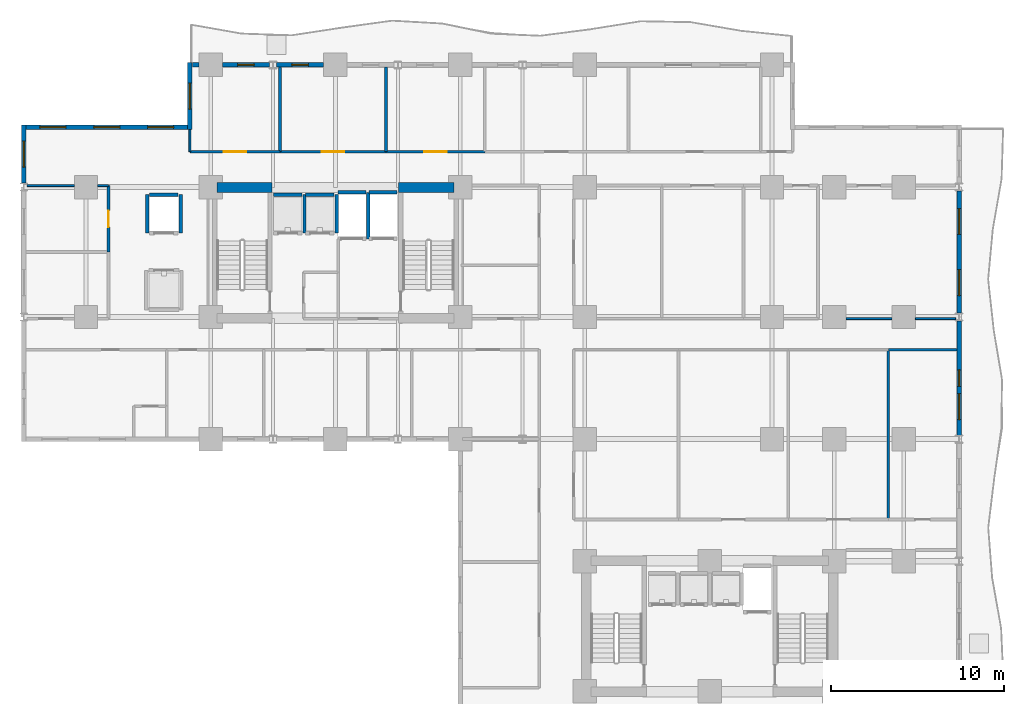
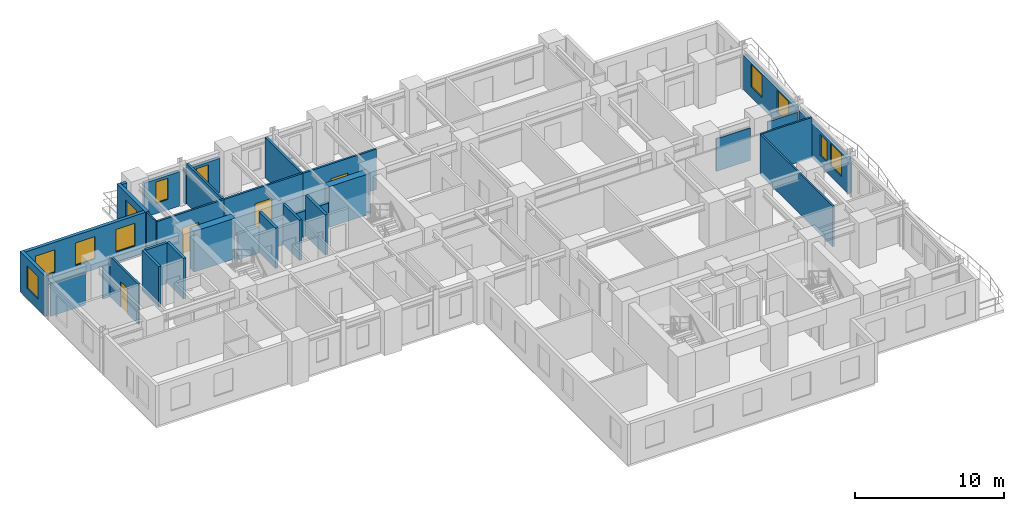
# One storey, part 6 of 12: 33 walls, 11 windows, 4 doors, 15 openings.
"""IFC4 building model written with IfcOpenShell, lengths in metres."""

from ifc_helpers import new_model, si_unit, direction, frame, frame_2d, origin, place, context, subcontext, project, spatial, rectangle, extrude, material, layer, layer_set, type_object, element, fill, save


model = new_model("IFC4")

# Units and contexts
model_context = context("Model", 3, precision=1e-05, world=origin(), true_north=direction((0.0, 1.0)))
body_context = subcontext(model_context, "Body", "Model", "MODEL_VIEW")
ifc_project = project(units=[si_unit("LENGTHUNIT", "METRE"), si_unit("AREAUNIT", "SQUARE_METRE"), si_unit("VOLUMEUNIT", "CUBIC_METRE"), si_unit("PLANEANGLEUNIT", "RADIAN"), si_unit("MASSUNIT", "GRAM", prefix="KILO")], contexts=[model_context])

# Site, building, storey
site_placement = place(None, origin())
site = spatial("IfcSite", under=ifc_project, at=site_placement, CompositionType="ELEMENT")
building_placement = place(site_placement, origin())
building = spatial("IfcBuilding", under=site, at=building_placement, Name="Kaliganga Portal Commons", CompositionType="ELEMENT")
storey_placement = place(building_placement, frame((0.0, 0.0, 69.699951171875)))
storey = spatial("IfcBuildingStorey", under=building, at=storey_placement, Name="L17", CompositionType="ELEMENT", Elevation=69.699951171875)

# Walls
ifc_material_1 = material(Name="Concrete C60/75", Category="concrete")
ifc_layer_1 = layer(ifc_material_1, 0.550048828125)
ifc_layer_set_1 = layer_set([ifc_layer_1], Name="Concrete C60/75")
wall_type_1 = type_object("IfcWallType", Name="WL-CORE-550", PredefinedType="SHEAR", material=ifc_layer_set_1)
for number, where, z_axis, x_axis, name in (
    (1, (14.75, 36.125, 0.0), (0.0, 0.0, 1.0), (1.0, 0.0, 0.0), "Core A N-West Shear Wall L17"),
    (2, (25.25, 36.125, 0.0), (0.0, 0.0, 1.0), (1.0, 0.0, 0.0), "Core A N-East Shear Wall L17"),
):
    element("IfcWall", number, at=place(storey_placement, frame(where, z_axis=z_axis, x_axis=x_axis)), inside=storey, type_object=wall_type_1, Name=name, PredefinedType="SHEAR", context=body_context, shape_type="SweptSolid", body=[
        extrude(rectangle(XDim=3.199951171875, YDim=0.550048828125, at=frame_2d((1.60009765625, 0.0))), origin(), (0.0, 0.0, 1.0), 3.340087890625),
    ])

# Wall, openings, windows
ifc_material_2 = material(Name="Insulated Aluminium-Clad Spandrel Assembly", Category="aluminium")
ifc_layer_2 = layer(ifc_material_2, 0.260009765625)
ifc_layer_set_2 = layer_set([ifc_layer_2], Name="Insulated Aluminium-Clad Spandrel Assembly")
wall_type_2 = type_object("IfcWallType", Name="WL-EXT-SPAND-260", PredefinedType="STANDARD", material=ifc_layer_set_2)
wall_1_placement = place(storey_placement, frame((57.60009765625, 28.426025390625, 0.0), z_axis=(0.0, 0.0, 1.0), x_axis=(0.0, -1.0, 0.0)))
wall_1 = element("IfcWall", 3, at=wall_1_placement, inside=storey, type_object=wall_type_2, Name="Exterior Envelope Wall L17 P1-E03-S4", PredefinedType="STANDARD", context=body_context, shape_type="SweptSolid", body=[
    extrude(rectangle(XDim=6.60205078125, YDim=0.260009765625, at=frame_2d((3.301025390625, 0.0))), origin(), (0.0, 0.0, 1.0), 2.820068359375),
])
opening_1_placement = place(wall_1_placement, frame((4.201416015625, 0.0, 0.85009765625)))
opening_1 = element("IfcOpeningElement", 4, at=opening_1_placement, cuts=wall_1, Name="Opening W-02", PredefinedType="OPENING", context=body_context, shape_type="SweptSolid", body=[
    extrude(rectangle(XDim=1.5, YDim=1.85009765625, at=frame_2d((0.75, 0.925048828125))), frame((0.0, 0.14013671875, 0.0), z_axis=(0.0, -1.0, 0.0), x_axis=(1.0, 0.0, 0.0)), (0.0, 0.0, 1.0), 0.280029296875),
])
opening_2_placement = place(wall_1_placement, frame((2.825927734375, 0.0, 0.85009765625)))
opening_2 = element("IfcOpeningElement", 5, at=opening_2_placement, cuts=wall_1, Name="Opening W-04", PredefinedType="OPENING", context=body_context, shape_type="SweptSolid", body=[
    extrude(rectangle(XDim=0.949951171875, YDim=1.75, at=frame_2d((0.47509765625, 0.875))), frame((0.0, 0.14013671875, 0.0), z_axis=(0.0, -1.0, 0.0), x_axis=(1.0, 0.0, 0.0)), (0.0, 0.0, 1.0), 0.280029296875),
])
ifc_material_3 = material(Name="Thermally Broken Aluminium and Low-E Double Glazing", Category="aluminium")
window_type_1 = type_object("IfcWindowType", Name="WIN-NARROW-950", PartitioningType="SINGLE_PANEL", PredefinedType="WINDOW", material=ifc_material_3)
window_1_placement = place(opening_2_placement, origin())
window_1 = element("IfcWindow", 6, at=window_1_placement, inside=storey, type_object=window_type_1, Name="Facade Window L17-P1E03S4-N0", OverallHeight=1.75, OverallWidth=0.949951171875, PartitioningType="SINGLE_PANEL", PredefinedType="WINDOW", context=body_context, shape_type="SweptSolid", body=[
    extrude(rectangle(XDim=0.949951171875, YDim=1.75, at=frame_2d((0.47509765625, 0.875))), frame((0.0, 0.030029296875, 0.0), z_axis=(0.0, -1.0, 0.0), x_axis=(1.0, 0.0, 0.0)), (0.0, 0.0, 1.0), 0.06005859375),
])
fill(opening_2, window_1)
window_type_2 = type_object("IfcWindowType", Name="WIN-STD-1500", PartitioningType="DOUBLE_PANEL_VERTICAL", PredefinedType="WINDOW", material=ifc_material_3)
window_2_placement = place(opening_1_placement, origin())
window_2 = element("IfcWindow", 7, at=window_2_placement, inside=storey, type_object=window_type_2, Name="Facade Window L17-P1E03S4-01", OverallHeight=1.85009765625, OverallWidth=1.5, PartitioningType="SINGLE_PANEL", PredefinedType="WINDOW", context=body_context, shape_type="SweptSolid", body=[
    extrude(rectangle(XDim=1.5, YDim=1.85009765625, at=frame_2d((0.75, 0.925048828125))), frame((0.0, 0.030029296875, 0.0), z_axis=(0.0, -1.0, 0.0), x_axis=(1.0, 0.0, 0.0)), (0.0, 0.0, 1.0), 0.06005859375),
])
fill(opening_1, window_2)

wall_2_placement = place(storey_placement, frame((57.60009765625, 35.926025390625, 0.0), z_axis=(0.0, 0.0, 1.0), x_axis=(0.0, -1.0, 0.0)))
wall_2 = element("IfcWall", 8, at=wall_2_placement, inside=storey, type_object=wall_type_2, Name="Exterior Envelope Wall L17 P1-E03-S5", PredefinedType="STANDARD", context=body_context, shape_type="SweptSolid", body=[
    extrude(rectangle(XDim=7.052001953125, YDim=0.260009765625, at=frame_2d((3.52587890625, 0.0))), origin(), (0.0, 0.0, 1.0), 2.820068359375),
])
opening_3_placement = place(wall_2_placement, frame((1.012939453125, 0.0, 0.85009765625)))
opening_3 = element("IfcOpeningElement", 9, at=opening_3_placement, cuts=wall_2, Name="Opening W-02", PredefinedType="OPENING", context=body_context, shape_type="SweptSolid", body=[
    extrude(rectangle(XDim=1.5, YDim=1.85009765625, at=frame_2d((0.75, 0.925048828125))), frame((0.0, 0.14013671875, 0.0), z_axis=(0.0, -1.0, 0.0), x_axis=(1.0, 0.0, 0.0)), (0.0, 0.0, 1.0), 0.280029296875),
])
opening_4_placement = place(wall_2_placement, frame((4.5390625, 0.0, 0.85009765625)))
opening_4 = element("IfcOpeningElement", 10, at=opening_4_placement, cuts=wall_2, Name="Opening W-02", PredefinedType="OPENING", context=body_context, shape_type="SweptSolid", body=[
    extrude(rectangle(XDim=1.5, YDim=1.85009765625, at=frame_2d((0.75, 0.925048828125))), frame((0.0, 0.14013671875, 0.0), z_axis=(0.0, -1.0, 0.0), x_axis=(1.0, 0.0, 0.0)), (0.0, 0.0, 1.0), 0.280029296875),
])
window_3_placement = place(opening_3_placement, origin())
window_3 = element("IfcWindow", 11, at=window_3_placement, inside=storey, type_object=window_type_2, Name="Facade Window L17-P1E03S5-00", OverallHeight=1.85009765625, OverallWidth=1.5, PartitioningType="SINGLE_PANEL", PredefinedType="WINDOW", context=body_context, shape_type="SweptSolid", body=[
    extrude(rectangle(XDim=1.5, YDim=1.85009765625, at=frame_2d((0.75, 0.925048828125))), frame((0.0, 0.030029296875, 0.0), z_axis=(0.0, -1.0, 0.0), x_axis=(1.0, 0.0, 0.0)), (0.0, 0.0, 1.0), 0.06005859375),
])
fill(opening_3, window_3)
window_4_placement = place(opening_4_placement, origin())
window_4 = element("IfcWindow", 12, at=window_4_placement, inside=storey, type_object=window_type_2, Name="Facade Window L17-P1E03S5-01", OverallHeight=1.85009765625, OverallWidth=1.5, PartitioningType="SINGLE_PANEL", PredefinedType="WINDOW", context=body_context, shape_type="SweptSolid", body=[
    extrude(rectangle(XDim=1.5, YDim=1.85009765625, at=frame_2d((0.75, 0.925048828125))), frame((0.0, 0.030029296875, 0.0), z_axis=(0.0, -1.0, 0.0), x_axis=(1.0, 0.0, 0.0)), (0.0, 0.0, 1.0), 0.06005859375),
])
fill(opening_4, window_4)

# Wall, opening, window
wall_3_placement = place(storey_placement, frame((18.208984375, 43.199951171875, 0.0), z_axis=(0.0, 0.0, 1.0), x_axis=(1.0, 0.0, 0.0)))
wall_3 = element("IfcWall", 13, at=wall_3_placement, inside=storey, type_object=wall_type_2, Name="Exterior Envelope Wall L17 P1-E06-S7", PredefinedType="STANDARD", context=body_context, shape_type="SweptSolid", body=[
    extrude(rectangle(XDim=2.715087890625, YDim=0.260009765625, at=frame_2d((1.357421875, 0.0))), origin(), (0.0, 0.0, 1.0), 2.820068359375),
])
opening_5_placement = place(wall_3_placement, frame((0.882568359375, 0.0, 0.85009765625)))
opening_5 = element("IfcOpeningElement", 14, at=opening_5_placement, cuts=wall_3, Name="Opening W-04", PredefinedType="OPENING", context=body_context, shape_type="SweptSolid", body=[
    extrude(rectangle(XDim=0.949951171875, YDim=1.75, at=frame_2d((0.47509765625, 0.875))), frame((0.0, 0.14013671875, 0.0), z_axis=(0.0, -1.0, 0.0), x_axis=(1.0, 0.0, 0.0)), (0.0, 0.0, 1.0), 0.280029296875),
])
window_5_placement = place(opening_5_placement, origin())
window_5 = element("IfcWindow", 15, at=window_5_placement, inside=storey, type_object=window_type_1, Name="Facade Window L17-P1E06S7-00", OverallHeight=1.75, OverallWidth=0.949951171875, PartitioningType="SINGLE_PANEL", PredefinedType="WINDOW", context=body_context, shape_type="SweptSolid", body=[
    extrude(rectangle(XDim=0.949951171875, YDim=1.75, at=frame_2d((0.47509765625, 0.875))), frame((0.0, 0.030029296875, 0.0), z_axis=(0.0, -1.0, 0.0), x_axis=(1.0, 0.0, 0.0)), (0.0, 0.0, 1.0), 0.06005859375),
])
fill(opening_5, window_5)

wall_4_placement = place(storey_placement, frame((15.075927734375, 43.199951171875, 0.0), z_axis=(0.0, 0.0, 1.0), x_axis=(1.0, 0.0, 0.0)))
wall_4 = element("IfcWall", 16, at=wall_4_placement, inside=storey, type_object=wall_type_2, Name="Exterior Envelope Wall L17 P1-E06-S8", PredefinedType="STANDARD", context=body_context, shape_type="SweptSolid", body=[
    extrude(rectangle(XDim=2.715087890625, YDim=0.260009765625, at=frame_2d((1.357421875, 0.0))), origin(), (0.0, 0.0, 1.0), 2.820068359375),
])
opening_6_placement = place(wall_4_placement, frame((0.882568359375, 0.0, 0.85009765625)))
opening_6 = element("IfcOpeningElement", 17, at=opening_6_placement, cuts=wall_4, Name="Opening W-04", PredefinedType="OPENING", context=body_context, shape_type="SweptSolid", body=[
    extrude(rectangle(XDim=0.949951171875, YDim=1.75, at=frame_2d((0.47509765625, 0.875))), frame((0.0, 0.14013671875, 0.0), z_axis=(0.0, -1.0, 0.0), x_axis=(1.0, 0.0, 0.0)), (0.0, 0.0, 1.0), 0.280029296875),
])
window_6_placement = place(opening_6_placement, origin())
window_6 = element("IfcWindow", 18, at=window_6_placement, inside=storey, type_object=window_type_1, Name="Facade Window L17-P1E06S8-00", OverallHeight=1.75, OverallWidth=0.949951171875, PartitioningType="SINGLE_PANEL", PredefinedType="WINDOW", context=body_context, shape_type="SweptSolid", body=[
    extrude(rectangle(XDim=0.949951171875, YDim=1.75, at=frame_2d((0.47509765625, 0.875))), frame((0.0, 0.030029296875, 0.0), z_axis=(0.0, -1.0, 0.0), x_axis=(1.0, 0.0, 0.0)), (0.0, 0.0, 1.0), 0.06005859375),
])
fill(opening_6, window_6)

# Wall
wall_5_placement = place(storey_placement, frame((13.3349609375, 43.199951171875, 0.0), z_axis=(0.0, 0.0, 1.0), x_axis=(1.0, 0.0, 0.0)))
element("IfcWall", 19, at=wall_5_placement, inside=storey, type_object=wall_type_2, Name="Exterior Envelope Wall L17 P1-E06-S9", PredefinedType="STANDARD", context=body_context, shape_type="SweptSolid", body=[
    extrude(rectangle(XDim=0.38916015625, YDim=0.260009765625, at=frame_2d((0.194580078125, 0.0))), origin(), (0.0, 0.0, 1.0), 3.320068359375),
])

# Wall, opening, window
wall_6_placement = place(storey_placement, frame((13.199951171875, 39.469970703125, 0.0), z_axis=(0.0, 0.0, 1.0), x_axis=(0.0, 1.0, 0.0)))
wall_6 = element("IfcWall", 20, at=wall_6_placement, inside=storey, type_object=wall_type_2, Name="Exterior Envelope Wall L17 P1-E07-S1", PredefinedType="STANDARD", context=body_context, shape_type="SweptSolid", body=[
    extrude(rectangle(XDim=3.860107421875, YDim=0.260009765625, at=frame_2d((1.93017578125, 0.0))), origin(), (0.0, 0.0, 1.0), 3.320068359375),
])
opening_7_placement = place(wall_6_placement, frame((1.179931640625, 0.0, 0.85009765625)))
opening_7 = element("IfcOpeningElement", 21, at=opening_7_placement, cuts=wall_6, Name="Opening W-02", PredefinedType="OPENING", context=body_context, shape_type="SweptSolid", body=[
    extrude(rectangle(XDim=1.5, YDim=1.85009765625, at=frame_2d((0.75, 0.925048828125))), frame((0.0, 0.14013671875, 0.0), z_axis=(0.0, -1.0, 0.0), x_axis=(1.0, 0.0, 0.0)), (0.0, 0.0, 1.0), 0.280029296875),
])
window_7_placement = place(opening_7_placement, origin())
window_7 = element("IfcWindow", 22, at=window_7_placement, inside=storey, type_object=window_type_2, Name="Facade Window L17-P1E07S1-00", OverallHeight=1.85009765625, OverallWidth=1.5, PartitioningType="SINGLE_PANEL", PredefinedType="WINDOW", context=body_context, shape_type="SweptSolid", body=[
    extrude(rectangle(XDim=1.5, YDim=1.85009765625, at=frame_2d((0.75, 0.925048828125))), frame((0.0, 0.030029296875, 0.0), z_axis=(0.0, -1.0, 0.0), x_axis=(1.0, 0.0, 0.0)), (0.0, 0.0, 1.0), 0.06005859375),
])
fill(opening_7, window_7)

# Wall, openings, windows
wall_7_placement = place(storey_placement, frame((3.735107421875, 39.60009765625, 0.0), z_axis=(0.0, 0.0, 1.0), x_axis=(1.0, 0.0, 0.0)))
wall_7 = element("IfcWall", 23, at=wall_7_placement, inside=storey, type_object=wall_type_2, Name="Exterior Envelope Wall L17 P1-E08-S1", PredefinedType="STANDARD", context=body_context, shape_type="SweptSolid", body=[
    extrude(rectangle(XDim=9.329833984375, YDim=0.260009765625, at=frame_2d((4.6650390625, 0.0))), origin(), (0.0, 0.0, 1.0), 3.320068359375),
])
opening_8_placement = place(wall_7_placement, frame((0.804931640625, 0.0, 0.85009765625)))
opening_8 = element("IfcOpeningElement", 24, at=opening_8_placement, cuts=wall_7, Name="Opening W-02", PredefinedType="OPENING", context=body_context, shape_type="SweptSolid", body=[
    extrude(rectangle(XDim=1.5, YDim=1.85009765625, at=frame_2d((0.75, 0.925048828125))), frame((0.0, 0.14013671875, 0.0), z_axis=(0.0, -1.0, 0.0), x_axis=(1.0, 0.0, 0.0)), (0.0, 0.0, 1.0), 0.280029296875),
])
opening_9_placement = place(wall_7_placement, frame((3.9150390625, 0.0, 0.85009765625)))
opening_9 = element("IfcOpeningElement", 25, at=opening_9_placement, cuts=wall_7, Name="Opening W-02", PredefinedType="OPENING", context=body_context, shape_type="SweptSolid", body=[
    extrude(rectangle(XDim=1.5, YDim=1.85009765625, at=frame_2d((0.75, 0.925048828125))), frame((0.0, 0.14013671875, 0.0), z_axis=(0.0, -1.0, 0.0), x_axis=(1.0, 0.0, 0.0)), (0.0, 0.0, 1.0), 0.280029296875),
])
opening_10_placement = place(wall_7_placement, frame((7.02490234375, 0.0, 0.85009765625)))
opening_10 = element("IfcOpeningElement", 26, at=opening_10_placement, cuts=wall_7, Name="Opening W-02", PredefinedType="OPENING", context=body_context, shape_type="SweptSolid", body=[
    extrude(rectangle(XDim=1.5, YDim=1.85009765625, at=frame_2d((0.75, 0.925048828125))), frame((0.0, 0.14013671875, 0.0), z_axis=(0.0, -1.0, 0.0), x_axis=(1.0, 0.0, 0.0)), (0.0, 0.0, 1.0), 0.280029296875),
])
window_8_placement = place(opening_8_placement, origin())
window_8 = element("IfcWindow", 27, at=window_8_placement, inside=storey, type_object=window_type_2, Name="Facade Window L17-P1E08S1-00", OverallHeight=1.85009765625, OverallWidth=1.5, PartitioningType="SINGLE_PANEL", PredefinedType="WINDOW", context=body_context, shape_type="SweptSolid", body=[
    extrude(rectangle(XDim=1.5, YDim=1.85009765625, at=frame_2d((0.75, 0.925048828125))), frame((0.0, 0.030029296875, 0.0), z_axis=(0.0, -1.0, 0.0), x_axis=(1.0, 0.0, 0.0)), (0.0, 0.0, 1.0), 0.06005859375),
])
fill(opening_8, window_8)
window_9_placement = place(opening_9_placement, origin())
window_9 = element("IfcWindow", 28, at=window_9_placement, inside=storey, type_object=window_type_2, Name="Facade Window L17-P1E08S1-01", OverallHeight=1.85009765625, OverallWidth=1.5, PartitioningType="SINGLE_PANEL", PredefinedType="WINDOW", context=body_context, shape_type="SweptSolid", body=[
    extrude(rectangle(XDim=1.5, YDim=1.85009765625, at=frame_2d((0.75, 0.925048828125))), frame((0.0, 0.030029296875, 0.0), z_axis=(0.0, -1.0, 0.0), x_axis=(1.0, 0.0, 0.0)), (0.0, 0.0, 1.0), 0.06005859375),
])
fill(opening_9, window_9)
window_10_placement = place(opening_10_placement, origin())
window_10 = element("IfcWindow", 29, at=window_10_placement, inside=storey, type_object=window_type_2, Name="Facade Window L17-P1E08S1-02", OverallHeight=1.85009765625, OverallWidth=1.5, PartitioningType="SINGLE_PANEL", PredefinedType="WINDOW", context=body_context, shape_type="SweptSolid", body=[
    extrude(rectangle(XDim=1.5, YDim=1.85009765625, at=frame_2d((0.75, 0.925048828125))), frame((0.0, 0.030029296875, 0.0), z_axis=(0.0, -1.0, 0.0), x_axis=(1.0, 0.0, 0.0)), (0.0, 0.0, 1.0), 0.06005859375),
])
fill(opening_10, window_10)

# Wall, opening, window
wall_8_placement = place(storey_placement, frame((3.60009765625, 36.3740234375, 0.0), z_axis=(0.0, 0.0, 1.0), x_axis=(0.0, 1.0, 0.0)))
wall_8 = element("IfcWall", 30, at=wall_8_placement, inside=storey, type_object=wall_type_2, Name="Exterior Envelope Wall L17 P1-E09-S1", PredefinedType="STANDARD", context=body_context, shape_type="SweptSolid", body=[
    extrude(rectangle(XDim=3.35595703125, YDim=0.260009765625, at=frame_2d((1.677978515625, 0.0))), origin(), (0.0, 0.0, 1.0), 3.320068359375),
])
opening_11_placement = place(wall_8_placement, frame((0.927978515625, 0.0, 0.85009765625)))
opening_11 = element("IfcOpeningElement", 31, at=opening_11_placement, cuts=wall_8, Name="Opening W-02", PredefinedType="OPENING", context=body_context, shape_type="SweptSolid", body=[
    extrude(rectangle(XDim=1.5, YDim=1.85009765625, at=frame_2d((0.75, 0.925048828125))), frame((0.0, 0.14013671875, 0.0), z_axis=(0.0, -1.0, 0.0), x_axis=(1.0, 0.0, 0.0)), (0.0, 0.0, 1.0), 0.280029296875),
])
window_11_placement = place(opening_11_placement, origin())
window_11 = element("IfcWindow", 32, at=window_11_placement, inside=storey, type_object=window_type_2, Name="Facade Window L17-P1E09S1-00", OverallHeight=1.85009765625, OverallWidth=1.5, PartitioningType="SINGLE_PANEL", PredefinedType="WINDOW", context=body_context, shape_type="SweptSolid", body=[
    extrude(rectangle(XDim=1.5, YDim=1.85009765625, at=frame_2d((0.75, 0.925048828125))), frame((0.0, 0.030029296875, 0.0), z_axis=(0.0, -1.0, 0.0), x_axis=(1.0, 0.0, 0.0)), (0.0, 0.0, 1.0), 0.06005859375),
])
fill(opening_11, window_11)

# Wall, opening, door
ifc_material_4 = material(Name="Fire-Rated Gypsum Board on Steel Stud", Category="steel")
ifc_layer_3 = layer(ifc_material_4, 0.14990234375)
ifc_layer_set_3 = layer_set([ifc_layer_3], Name="Fire-Rated Gypsum Board on Steel Stud")
wall_type_3 = type_object("IfcWallType", Name="WL-PART-CORR-150", PredefinedType="PARTITIONING", material=ifc_layer_set_3)
wall_9_placement = place(storey_placement, frame((18.39990234375, 38.199951171875, 0.0), z_axis=(0.0, 0.0, 1.0), x_axis=(1.0, 0.0, 0.0)))
wall_9 = element("IfcWall", 33, at=wall_9_placement, inside=storey, type_object=wall_type_3, Name="Interior Partition L17-020", PredefinedType="PARTITIONING", context=body_context, shape_type="SweptSolid", body=[
    extrude(rectangle(XDim=6.1201171875, YDim=0.14990234375, at=frame_2d((3.06005859375, 0.0))), origin(), (0.0, 0.0, 1.0), 3.320068359375),
])
opening_12_placement = place(wall_9_placement, frame((2.409912109375, 0.0, 0.0)))
opening_12 = element("IfcOpeningElement", 34, at=opening_12_placement, cuts=wall_9, Name="Opening RD-03", PredefinedType="OPENING", context=body_context, shape_type="SweptSolid", body=[
    extrude(rectangle(XDim=1.300048828125, YDim=2.1201171875, at=frame_2d((0.64990234375, 1.06005859375))), frame((0.0, 0.0849609375, 0.0), z_axis=(0.0, -1.0, 0.0), x_axis=(1.0, 0.0, 0.0)), (0.0, 0.0, 1.0), 0.169921875),
])
ifc_material_5 = material(Name="Glazed Timber Seminar Vision Door", Category="wood")
door_type_1 = type_object("IfcDoorType", Name="DR-STUDY-1300", OperationType="DOUBLE_DOOR_SINGLE_SWING", PredefinedType="DOOR", material=ifc_material_5)
door_1_placement = place(opening_12_placement, origin())
door_1 = element("IfcDoor", 35, at=door_1_placement, inside=storey, type_object=door_type_1, Name="Interior Door L17-AN02", OperationType="DOUBLE_DOOR_SINGLE_SWING", OverallHeight=2.1201171875, OverallWidth=1.300048828125, PredefinedType="DOOR", context=body_context, shape_type="SweptSolid", body=[
    extrude(rectangle(XDim=1.300048828125, YDim=2.1201171875, at=frame_2d((0.64990234375, 1.06005859375))), frame((0.0, 0.02490234375, 0.0), z_axis=(0.0, -1.0, 0.0), x_axis=(1.0, 0.0, 0.0)), (0.0, 0.0, 1.0), 0.050048828125),
])
fill(opening_12, door_1)

wall_10_placement = place(storey_placement, frame((24.52001953125, 38.199951171875, 0.0), z_axis=(0.0, 0.0, 1.0), x_axis=(1.0, 0.0, 0.0)))
wall_10 = element("IfcWall", 36, at=wall_10_placement, inside=storey, type_object=wall_type_3, Name="Interior Partition L17-024", PredefinedType="PARTITIONING", context=body_context, shape_type="SweptSolid", body=[
    extrude(rectangle(XDim=5.699951171875, YDim=0.14990234375, at=frame_2d((2.85009765625, 0.0))), origin(), (0.0, 0.0, 1.0), 3.320068359375),
])
opening_13_placement = place(wall_10_placement, frame((2.199951171875, 0.0, 0.0)))
opening_13 = element("IfcOpeningElement", 37, at=opening_13_placement, cuts=wall_10, Name="Opening RD-03", PredefinedType="OPENING", context=body_context, shape_type="SweptSolid", body=[
    extrude(rectangle(XDim=1.300048828125, YDim=2.1201171875, at=frame_2d((0.64990234375, 1.06005859375))), frame((0.0, 0.0849609375, 0.0), z_axis=(0.0, -1.0, 0.0), x_axis=(1.0, 0.0, 0.0)), (0.0, 0.0, 1.0), 0.169921875),
])
door_2_placement = place(opening_13_placement, origin())
door_2 = element("IfcDoor", 38, at=door_2_placement, inside=storey, type_object=door_type_1, Name="Interior Door L17-AN03", OperationType="DOUBLE_DOOR_SINGLE_SWING", OverallHeight=2.1201171875, OverallWidth=1.300048828125, PredefinedType="DOOR", context=body_context, shape_type="SweptSolid", body=[
    extrude(rectangle(XDim=1.300048828125, YDim=2.1201171875, at=frame_2d((0.64990234375, 1.06005859375))), frame((0.0, 0.02490234375, 0.0), z_axis=(0.0, -1.0, 0.0), x_axis=(1.0, 0.0, 0.0)), (0.0, 0.0, 1.0), 0.050048828125),
])
fill(opening_13, door_2)

wall_11_placement = place(storey_placement, frame((13.199951171875, 38.199951171875, 0.0), z_axis=(0.0, 0.0, 1.0), x_axis=(1.0, 0.0, 0.0)))
wall_11 = element("IfcWall", 39, at=wall_11_placement, inside=storey, type_object=wall_type_3, Name="Interior Partition L17-026", PredefinedType="PARTITIONING", context=body_context, shape_type="SweptSolid", body=[
    extrude(rectangle(XDim=5.199951171875, YDim=0.14990234375, at=frame_2d((2.60009765625, 0.0))), origin(), (0.0, 0.0, 1.0), 3.320068359375),
])
opening_14_placement = place(wall_11_placement, frame((1.949951171875, 0.0, 0.0)))
opening_14 = element("IfcOpeningElement", 40, at=opening_14_placement, cuts=wall_11, Name="Opening RD-03", PredefinedType="OPENING", context=body_context, shape_type="SweptSolid", body=[
    extrude(rectangle(XDim=1.300048828125, YDim=2.1201171875, at=frame_2d((0.64990234375, 1.06005859375))), frame((0.0, 0.0849609375, 0.0), z_axis=(0.0, -1.0, 0.0), x_axis=(1.0, 0.0, 0.0)), (0.0, 0.0, 1.0), 0.169921875),
])
door_3_placement = place(opening_14_placement, origin())
door_3 = element("IfcDoor", 41, at=door_3_placement, inside=storey, type_object=door_type_1, Name="Interior Door L17-AN01", OperationType="DOUBLE_DOOR_SINGLE_SWING", OverallHeight=2.1201171875, OverallWidth=1.300048828125, PredefinedType="DOOR", context=body_context, shape_type="SweptSolid", body=[
    extrude(rectangle(XDim=1.300048828125, YDim=2.1201171875, at=frame_2d((0.64990234375, 1.06005859375))), frame((0.0, 0.02490234375, 0.0), z_axis=(0.0, -1.0, 0.0), x_axis=(1.0, 0.0, 0.0)), (0.0, 0.0, 1.0), 0.050048828125),
])
fill(opening_14, door_3)

wall_12_placement = place(storey_placement, frame((8.5, 32.39990234375, 0.0), z_axis=(0.0, 0.0, 1.0), x_axis=(0.0, 1.0, 0.0)))
wall_12 = element("IfcWall", 42, at=wall_12_placement, inside=storey, type_object=wall_type_3, Name="Interior Partition L17-039", PredefinedType="PARTITIONING", context=body_context, shape_type="SweptSolid", body=[
    extrude(rectangle(XDim=3.840087890625, YDim=0.14990234375, at=frame_2d((1.919921875, 0.0))), origin(), (0.0, 0.0, 1.0), 3.320068359375),
])
opening_15_placement = place(wall_12_placement, frame((1.445068359375, 0.0, 0.0)))
opening_15 = element("IfcOpeningElement", 43, at=opening_15_placement, cuts=wall_12, Name="Opening UD-01", PredefinedType="OPENING", context=body_context, shape_type="SweptSolid", body=[
    extrude(rectangle(XDim=0.949951171875, YDim=2.10009765625, at=frame_2d((0.47509765625, 1.050048828125))), frame((0.0, 0.0849609375, 0.0), z_axis=(0.0, -1.0, 0.0), x_axis=(1.0, 0.0, 0.0)), (0.0, 0.0, 1.0), 0.169921875),
])
ifc_material_6 = material(Name="Solid-Core Timber Acoustic Fire Door", Category="wood")
door_type_2 = type_object("IfcDoorType", Name="DR-UNIT-950", OperationType="NOTDEFINED", PredefinedType="DOOR", material=ifc_material_6)
door_4_placement = place(opening_15_placement, origin())
door_4 = element("IfcDoor", 44, at=door_4_placement, inside=storey, type_object=door_type_2, Name="Interior Door L17-AW02", OperationType="SINGLE_SWING_LEFT", OverallHeight=2.10009765625, OverallWidth=0.949951171875, PredefinedType="DOOR", context=body_context, shape_type="SweptSolid", body=[
    extrude(rectangle(XDim=0.949951171875, YDim=2.10009765625, at=frame_2d((0.47509765625, 1.050048828125))), frame((0.0, 0.02490234375, 0.0), z_axis=(0.0, -1.0, 0.0), x_axis=(1.0, 0.0, 0.0)), (0.0, 0.0, 1.0), 0.050048828125),
])
fill(opening_15, door_4)

# Walls
ifc_material_7 = material(Name="Moisture-Resistant Gypsum Partition", Category="gypsum")
ifc_layer_4 = layer(ifc_material_7, 0.114990234375)
ifc_layer_set_4 = layer_set([ifc_layer_4], Name="Moisture-Resistant Gypsum Partition")
wall_type_4 = type_object("IfcWallType", Name="WL-PART-ROOM-115", PredefinedType="PARTITIONING", material=ifc_layer_set_4)
wall_13_placement = place(storey_placement, frame((51.074951171875, 28.56005859375, 0.0), z_axis=(0.0, 0.0, 1.0), x_axis=(1.0, 0.0, 0.0)))
element("IfcWall", 45, at=wall_13_placement, inside=storey, type_object=wall_type_4, Name="Interior Partition L17-051", PredefinedType="PARTITIONING", context=body_context, shape_type="SweptSolid", body=[
    extrude(rectangle(XDim=2.650146484375, YDim=0.114990234375, at=frame_2d((1.3251953125, 0.0))), origin(), (0.0, 0.0, 1.0), 2.670166015625),
])
wall_14_placement = place(storey_placement, frame((55.074951171875, 28.56005859375, 0.0), z_axis=(0.0, 0.0, 1.0), x_axis=(1.0, 0.0, 0.0)))
element("IfcWall", 46, at=wall_14_placement, inside=storey, type_object=wall_type_4, Name="Interior Partition L17-052", PredefinedType="PARTITIONING", context=body_context, shape_type="SweptSolid", body=[
    extrude(rectangle(XDim=2.317138671875, YDim=0.114990234375, at=frame_2d((1.15869140625, 0.0))), origin(), (0.0, 0.0, 1.0), 2.670166015625),
])
wall_15_placement = place(storey_placement, frame((13.199951171875, 38.199951171875, 0.0), z_axis=(0.0, 0.0, 1.0), x_axis=(0.0, 1.0, 0.0)))
element("IfcWall", 47, at=wall_15_placement, inside=storey, type_object=wall_type_4, Name="Interior Partition L17-063", PredefinedType="PARTITIONING", context=body_context, shape_type="SweptSolid", body=[
    extrude(rectangle(XDim=1.26806640625, YDim=0.114990234375, at=frame_2d((0.634033203125, 0.0))), origin(), (0.0, 0.0, 1.0), 3.320068359375),
])
wall_16_placement = place(storey_placement, frame((3.80810546875, 36.239990234375, 0.0), z_axis=(0.0, 0.0, 1.0), x_axis=(1.0, 0.0, 0.0)))
element("IfcWall", 48, at=wall_16_placement, inside=storey, type_object=wall_type_4, Name="Interior Partition L17-071", PredefinedType="PARTITIONING", context=body_context, shape_type="SweptSolid", body=[
    extrude(rectangle(XDim=2.716796875, YDim=0.114990234375, at=frame_2d((1.3583984375, 0.0))), origin(), (0.0, 0.0, 1.0), 2.670166015625),
])
wall_17_placement = place(storey_placement, frame((7.875, 36.239990234375, 0.0), z_axis=(0.0, 0.0, 1.0), x_axis=(1.0, 0.0, 0.0)))
element("IfcWall", 49, at=wall_17_placement, inside=storey, type_object=wall_type_4, Name="Interior Partition L17-072", PredefinedType="PARTITIONING", context=body_context, shape_type="SweptSolid", body=[
    extrude(rectangle(XDim=0.625, YDim=0.114990234375, at=frame_2d((0.3125, 0.0))), origin(), (0.0, 0.0, 1.0), 2.670166015625),
])
ifc_material_8 = material(Name="Twin-Stud Acoustic Gypsum Partition", Category="gypsum")
ifc_layer_5 = layer(ifc_material_8, 0.1650390625)
ifc_layer_set_5 = layer_set([ifc_layer_5], Name="Twin-Stud Acoustic Gypsum Partition")
wall_type_5 = type_object("IfcWallType", Name="WL-PART-UNIT-165", PredefinedType="PARTITIONING", material=ifc_layer_set_5)
for number, where, z_axis, x_axis, name in (
    (50, (18.39990234375, 38.199951171875, 0.0), (0.0, 0.0, 1.0), (0.0, 1.0, 0.0), "Interior Partition L17-064"),
    (51, (24.52001953125, 38.199951171875, 0.0), (0.0, 0.0, 1.0), (0.0, 1.0, 0.0), "Interior Partition L17-065"),
):
    element("IfcWall", number, at=place(storey_placement, frame(where, z_axis=z_axis, x_axis=x_axis)), inside=storey, type_object=wall_type_5, Name=name, PredefinedType="PARTITIONING", context=body_context, shape_type="SweptSolid", body=[
        extrude(rectangle(XDim=4.8681640625, YDim=0.1650390625, at=frame_2d((2.43408203125, 0.0))), origin(), (0.0, 0.0, 1.0), 3.320068359375),
    ])
ifc_material_9 = material(Name="Cement-Board Wet-Room Partition", Category="gypsum")
ifc_layer_6 = layer(ifc_material_9, 0.135009765625)
ifc_layer_set_6 = layer_set([ifc_layer_6], Name="Cement-Board Wet-Room Partition")
wall_type_6 = type_object("IfcWallType", Name="WL-PART-WET-135", PredefinedType="PARTITIONING", material=ifc_layer_set_6)
wall_18_placement = place(storey_placement, frame((53.52001953125, 16.9599609375, 0.0), z_axis=(0.0, 0.0, 1.0), x_axis=(0.0, 1.0, 0.0)))
element("IfcWall", 52, at=wall_18_placement, inside=storey, type_object=wall_type_6, Name="Interior Partition L17-050", PredefinedType="PARTITIONING", context=body_context, shape_type="SweptSolid", body=[
    extrude(rectangle(XDim=9.800048828125, YDim=0.135009765625, at=frame_2d((4.89990234375, 0.0))), origin(), (0.0, 0.0, 1.0), 3.320068359375),
])
wall_19_placement = place(storey_placement, frame((53.52001953125, 26.760009765625, 0.0), z_axis=(0.0, 0.0, 1.0), x_axis=(1.0, 0.0, 0.0)))
element("IfcWall", 53, at=wall_19_placement, inside=storey, type_object=wall_type_6, Name="Interior Partition L17-079", PredefinedType="PARTITIONING", context=body_context, shape_type="SweptSolid", body=[
    extrude(rectangle(XDim=3.947998046875, YDim=0.135009765625, at=frame_2d((1.97412109375, 0.0))), origin(), (0.0, 0.0, 1.0), 3.320068359375),
])
ifc_material_10 = material(Name="Fire-Rated Shaftwall Masonry Assembly", Category="masonry")
ifc_layer_7 = layer(ifc_material_10, 0.199951171875)
ifc_layer_set_7 = layer_set([ifc_layer_7], Name="Fire-Rated Shaftwall Masonry Assembly")
wall_type_7 = type_object("IfcWallType", Name="WL-SHAFT-200", PredefinedType="PARTITIONING", material=ifc_layer_set_7)
wall_20_placement = place(storey_placement, frame((18.02490234375, 35.715087890625, 0.0), z_axis=(0.0, 0.0, 1.0), x_axis=(1.0, 0.0, 0.0)))
element("IfcWall", 54, at=wall_20_placement, inside=storey, type_object=wall_type_7, Name="Lift PL-A1 Hoistway Shaft Wall L17-N", PredefinedType="PARTITIONING", context=body_context, shape_type="SweptSolid", body=[
    extrude(rectangle(XDim=1.650146484375, YDim=0.199951171875, at=frame_2d((0.8251953125, 0.0))), origin(), (0.0, 0.0, 1.0), 2.1201171875),
])
wall_21_placement = place(storey_placement, frame((19.81494140625, 33.485107421875, 0.0), z_axis=(0.0, 0.0, 1.0), x_axis=(0.0, 1.0, 0.0)))
element("IfcWall", 55, at=wall_21_placement, inside=storey, type_object=wall_type_7, Name="Lift PL-A1 Hoistway Shaft Wall L17-E", PredefinedType="PARTITIONING", context=body_context, shape_type="SweptSolid", body=[
    extrude(rectangle(XDim=2.22998046875, YDim=0.199951171875, at=frame_2d((1.114990234375, 0.0))), origin(), (0.0, 0.0, 1.0), 3.320068359375),
])
wall_22_placement = place(storey_placement, frame((19.875, 35.715087890625, 0.0), z_axis=(0.0, 0.0, 1.0), x_axis=(1.0, 0.0, 0.0)))
element("IfcWall", 56, at=wall_22_placement, inside=storey, type_object=wall_type_7, Name="Lift PL-A2 Hoistway Shaft Wall L17-N", PredefinedType="PARTITIONING", context=body_context, shape_type="SweptSolid", body=[
    extrude(rectangle(XDim=1.64990234375, YDim=0.199951171875, at=frame_2d((0.824951171875, 0.0))), origin(), (0.0, 0.0, 1.0), 2.1201171875),
])
wall_23_placement = place(storey_placement, frame((21.6650390625, 33.485107421875, 0.0), z_axis=(0.0, 0.0, 1.0), x_axis=(0.0, 1.0, 0.0)))
element("IfcWall", 57, at=wall_23_placement, inside=storey, type_object=wall_type_7, Name="Lift PL-A2 Hoistway Shaft Wall L17-E", PredefinedType="PARTITIONING", context=body_context, shape_type="SweptSolid", body=[
    extrude(rectangle(XDim=2.22998046875, YDim=0.199951171875, at=frame_2d((1.114990234375, 0.0))), origin(), (0.0, 0.0, 1.0), 3.320068359375),
])
wall_24_placement = place(storey_placement, frame((10.875, 35.715087890625, 0.0), z_axis=(0.0, 0.0, 1.0), x_axis=(1.0, 0.0, 0.0)))
element("IfcWall", 58, at=wall_24_placement, inside=storey, type_object=wall_type_7, Name="Lift PL-OBS Hoistway Shaft Wall L17-N", PredefinedType="PARTITIONING", context=body_context, shape_type="SweptSolid", body=[
    extrude(rectangle(XDim=1.64990234375, YDim=0.199951171875, at=frame_2d((0.824951171875, 0.0))), origin(), (0.0, 0.0, 1.0), 3.320068359375),
])
for number, where, z_axis, x_axis, name in (
    (59, (10.735107421875, 33.485107421875, 0.0), (0.0, 0.0, 1.0), (0.0, 1.0, 0.0), "Lift PL-OBS Hoistway Shaft Wall L17-W"),
    (60, (12.6650390625, 33.485107421875, 0.0), (0.0, 0.0, 1.0), (0.0, 1.0, 0.0), "Lift PL-OBS Hoistway Shaft Wall L17-E"),
):
    element("IfcWall", number, at=place(storey_placement, frame(where, z_axis=z_axis, x_axis=x_axis)), inside=storey, type_object=wall_type_7, Name=name, PredefinedType="PARTITIONING", context=body_context, shape_type="SweptSolid", body=[
        extrude(rectangle(XDim=2.22998046875, YDim=0.199951171875, at=frame_2d((1.114990234375, 0.0))), origin(), (0.0, 0.0, 1.0), 3.320068359375),
    ])
wall_25_placement = place(storey_placement, frame((21.75, 35.840087890625, 0.0), z_axis=(0.0, 0.0, 1.0), x_axis=(1.0, 0.0, 0.0)))
element("IfcWall", 61, at=wall_25_placement, inside=storey, type_object=wall_type_7, Name="Lift FFL-1 Hoistway Shaft Wall L17-N", PredefinedType="PARTITIONING", context=body_context, shape_type="SweptSolid", body=[
    extrude(rectangle(XDim=1.60009765625, YDim=0.199951171875, at=frame_2d((0.800048828125, 0.0))), origin(), (0.0, 0.0, 1.0), 2.1201171875),
])
wall_26_placement = place(storey_placement, frame((23.489990234375, 33.159912109375, 0.0), z_axis=(0.0, 0.0, 1.0), x_axis=(0.0, 1.0, 0.0)))
element("IfcWall", 62, at=wall_26_placement, inside=storey, type_object=wall_type_7, Name="Lift FFL-1 Hoistway Shaft Wall L17-E", PredefinedType="PARTITIONING", context=body_context, shape_type="SweptSolid", body=[
    extrude(rectangle(XDim=2.68017578125, YDim=0.199951171875, at=frame_2d((1.340087890625, 0.0))), origin(), (0.0, 0.0, 1.0), 3.320068359375),
])
wall_27_placement = place(storey_placement, frame((23.550048828125, 35.840087890625, 0.0), z_axis=(0.0, 0.0, 1.0), x_axis=(1.0, 0.0, 0.0)))
element("IfcWall", 63, at=wall_27_placement, inside=storey, type_object=wall_type_7, Name="Lift FFL-2 Hoistway Shaft Wall L17-N", PredefinedType="PARTITIONING", context=body_context, shape_type="SweptSolid", body=[
    extrude(rectangle(XDim=1.599853515625, YDim=0.199951171875, at=frame_2d((0.7998046875, 0.0))), origin(), (0.0, 0.0, 1.0), 2.1201171875),
])

save(model, "model.ifc")
